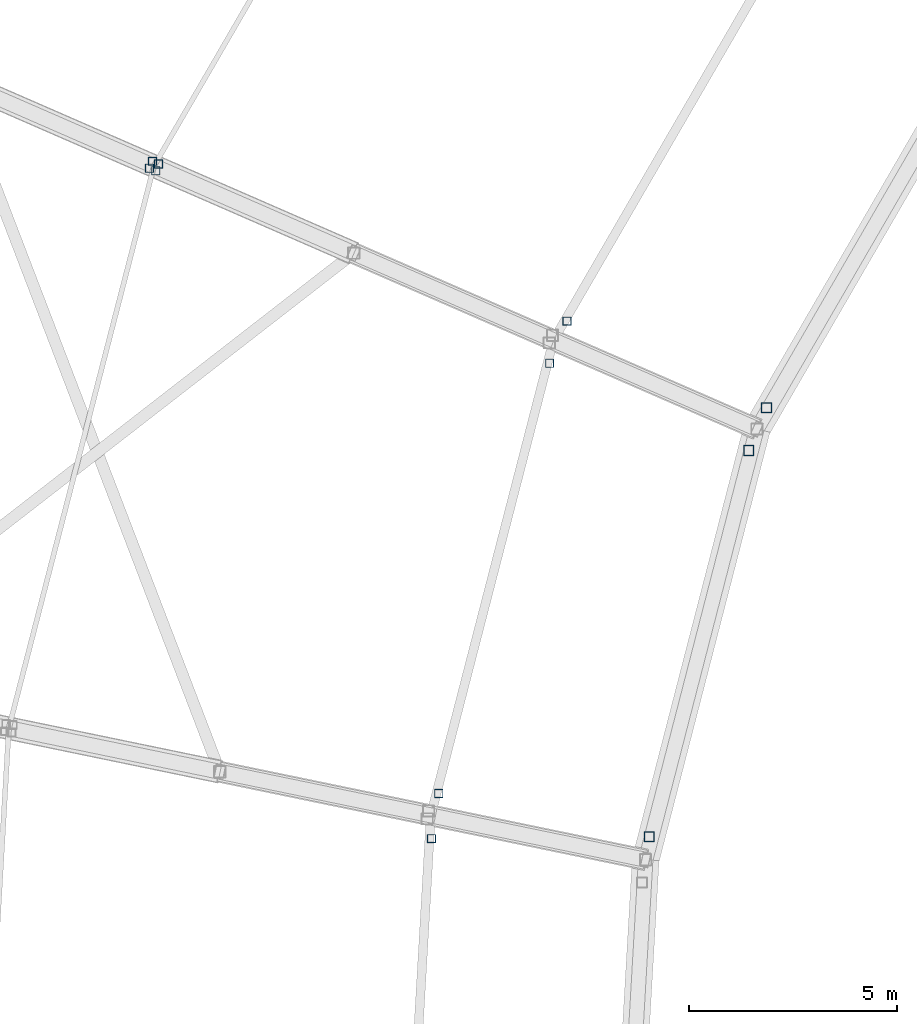
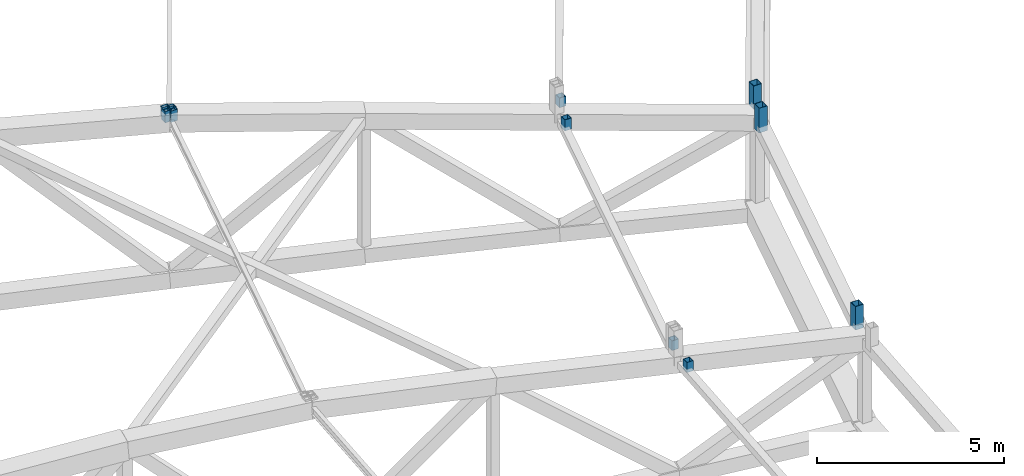
# One storey, part 110 of 162: 11 members.
"""IFC4 building model written with IfcOpenShell, lengths in metres."""

from ifc_helpers import new_model, si_unit, direction, frame, origin, origin_2d, place, context, subcontext, project, spatial, hollow_rectangle, extrude, material, material_profile, profile_set, type_object, element, save


model = new_model("IFC4")

# Units and contexts
model_context = context("Model", 3, precision=1e-05, world=origin(), true_north=direction((0.0, 1.0)))
body_context = subcontext(model_context, "Body", "Model", "MODEL_VIEW")
ifc_project = project(units=[si_unit("LENGTHUNIT", "METRE"), si_unit("AREAUNIT", "SQUARE_METRE"), si_unit("VOLUMEUNIT", "CUBIC_METRE"), si_unit("PLANEANGLEUNIT", "RADIAN"), si_unit("MASSUNIT", "GRAM", prefix="KILO")], contexts=[model_context])

# Site, building, storey
site_placement = place(None, origin())
site = spatial("IfcSite", under=ifc_project, at=site_placement, CompositionType="ELEMENT")
building_placement = place(site_placement, origin())
building = spatial("IfcBuilding", under=site, at=building_placement, Name="Kazemori Nagisa Stadium", CompositionType="ELEMENT")
storey_placement = place(building_placement, frame((0.0, 0.0, 36.719970703125)))
storey = spatial("IfcBuildingStorey", under=building, at=storey_placement, Name="RF", CompositionType="ELEMENT", Elevation=36.719970703125)

# Members
ifc_material = material(Name="Steel STKR490", Category="steel")
ifc_material_profile_1 = material_profile(ifc_material, hollow_rectangle(XDim=0.25, YDim=0.25, WallThickness=0.011962890625, at=origin_2d()), Name="SHS-250x250x12")
ifc_profile_set_1 = profile_set([ifc_material_profile_1], Name="Steel STKR490")
member_type_1 = type_object("IfcMemberType", Name="Member_ST-SHS250", PredefinedType="STUD", material=ifc_profile_set_1)
member_1_placement = place(storey_placement, frame((75.677490234375, 123.240234375, 5.52099609375), z_axis=(0.0, 0.0, 1.0), x_axis=(1.0, 0.0, 0.0)))
element("IfcMember", 1, at=member_1_placement, inside=storey, type_object=member_type_1, Name="Oculus skylight bearing stool B12-2", PredefinedType="STUD", context=body_context, shape_type="SweptSolid", body=[
    extrude(hollow_rectangle(XDim=0.25, YDim=0.25, WallThickness=0.011962890625, at=origin_2d()), origin(), (0.0, 0.0, 1.0), 0.760009765625),
])
member_2_placement = place(storey_placement, frame((75.25146484375, 122.208251953125, 5.52099609375), z_axis=(0.0, 0.0, 1.0), x_axis=(1.0, 0.0, 0.0)))
element("IfcMember", 2, at=member_2_placement, inside=storey, type_object=member_type_1, Name="Oculus skylight bearing stool B13-1", PredefinedType="STUD", context=body_context, shape_type="SweptSolid", body=[
    extrude(hollow_rectangle(XDim=0.25, YDim=0.25, WallThickness=0.011962890625, at=origin_2d()), origin(), (0.0, 0.0, 1.0), 0.80810546875),
])
member_3_placement = place(storey_placement, frame((72.859130859375, 112.930419921875, 5.56494140625), z_axis=(0.0, 0.0, 1.0), x_axis=(1.0, 0.0, 0.0)))
element("IfcMember", 3, at=member_3_placement, inside=storey, type_object=member_type_1, Name="Oculus skylight bearing stool B13-2", PredefinedType="STUD", context=body_context, shape_type="SweptSolid", body=[
    extrude(hollow_rectangle(XDim=0.25, YDim=0.25, WallThickness=0.011962890625, at=origin_2d()), origin(), (0.0, 0.0, 1.0), 0.76416015625),
])
ifc_material_profile_2 = material_profile(ifc_material, hollow_rectangle(XDim=0.199951171875, YDim=0.199951171875, WallThickness=0.009033203125, at=origin_2d()), Name="SHS-200x200x9")
ifc_profile_set_2 = profile_set([ifc_material_profile_2], Name="Steel STKR490")
member_type_2 = type_object("IfcMemberType", Name="Member_TS-SHS200", PredefinedType="STRUT", material=ifc_profile_set_2)
for number, where, z_axis, x_axis, name in (
    (4, (60.922607421875, 129.161865234375, 6.758056640625), (0.0, 0.0, 1.0), (1.0, 0.0, 0.0), "Canopy bearing stool B12-mid-3"),
    (5, (61.067626953125, 129.096435546875, 6.758056640625), (0.0, 0.0, 1.0), (1.0, 0.0, 0.0), "Canopy bearing stool B12-inner-2"),
    (6, (70.882080078125, 125.320068359375, 5.966064453125), (0.0, 0.0, 1.0), (1.0, 0.0, 0.0), "Oculus skylight bearing stool B12-3"),
):
    element("IfcMember", number, at=place(storey_placement, frame(where, z_axis=z_axis, x_axis=x_axis)), inside=storey, type_object=member_type_2, Name=name, PredefinedType="STRUT", context=body_context, shape_type="SweptSolid", body=[
        extrude(hollow_rectangle(XDim=0.199951171875, YDim=0.199951171875, WallThickness=0.009033203125, at=origin_2d()), origin(), (0.0, 0.0, 1.0), 0.31494140625),
    ])
for number, where, z_axis, x_axis, name in (
    (7, (60.85009765625, 128.9951171875, 6.758056640625), (0.0, 0.0, 1.0), (1.0, 0.0, 0.0), "Canopy bearing stool B13-mid-4"),
    (8, (61.001220703125, 128.93505859375, 6.758056640625), (0.0, 0.0, 1.0), (1.0, 0.0, 0.0), "Canopy bearing stool B13-inner-1"),
):
    element("IfcMember", number, at=place(storey_placement, frame(where, z_axis=z_axis, x_axis=x_axis)), inside=storey, type_object=member_type_2, Name=name, PredefinedType="STRUT", context=body_context, shape_type="SweptSolid", body=[
        extrude(hollow_rectangle(XDim=0.199951171875, YDim=0.199951171875, WallThickness=0.009033203125, at=origin_2d()), origin(), (0.0, 0.0, 1.0), 0.368896484375),
    ])
member_4_placement = place(storey_placement, frame((67.80126953125, 113.970947265625, 6.013916015625), z_axis=(0.0, 0.0, 1.0), x_axis=(1.0, 0.0, 0.0)))
element("IfcMember", 9, at=member_4_placement, inside=storey, type_object=member_type_2, Name="Oculus skylight bearing stool B13-3", PredefinedType="STRUT", context=body_context, shape_type="SweptSolid", body=[
    extrude(hollow_rectangle(XDim=0.199951171875, YDim=0.199951171875, WallThickness=0.009033203125, at=origin_2d()), origin(), (0.0, 0.0, 1.0), 0.315185546875),
])
member_5_placement = place(storey_placement, frame((70.4677734375, 124.30859375, 5.966064453125), z_axis=(0.0, 0.0, 1.0), x_axis=(1.0, 0.0, 0.0)))
element("IfcMember", 10, at=member_5_placement, inside=storey, type_object=member_type_2, Name="Oculus skylight bearing stool B13-4", PredefinedType="STRUT", context=body_context, shape_type="SweptSolid", body=[
    extrude(hollow_rectangle(XDim=0.199951171875, YDim=0.199951171875, WallThickness=0.009033203125, at=origin_2d()), origin(), (0.0, 0.0, 1.0), 0.363037109375),
])
member_6_placement = place(storey_placement, frame((67.63037109375, 112.884521484375, 6.013916015625), z_axis=(0.0, 0.0, 1.0), x_axis=(1.0, 0.0, 0.0)))
element("IfcMember", 11, at=member_6_placement, inside=storey, type_object=member_type_2, Name="Oculus skylight bearing stool B14-4", PredefinedType="STRUT", context=body_context, shape_type="SweptSolid", body=[
    extrude(hollow_rectangle(XDim=0.199951171875, YDim=0.199951171875, WallThickness=0.009033203125, at=origin_2d()), origin(), (0.0, 0.0, 1.0), 0.3310546875),
])

save(model, "model.ifc")
